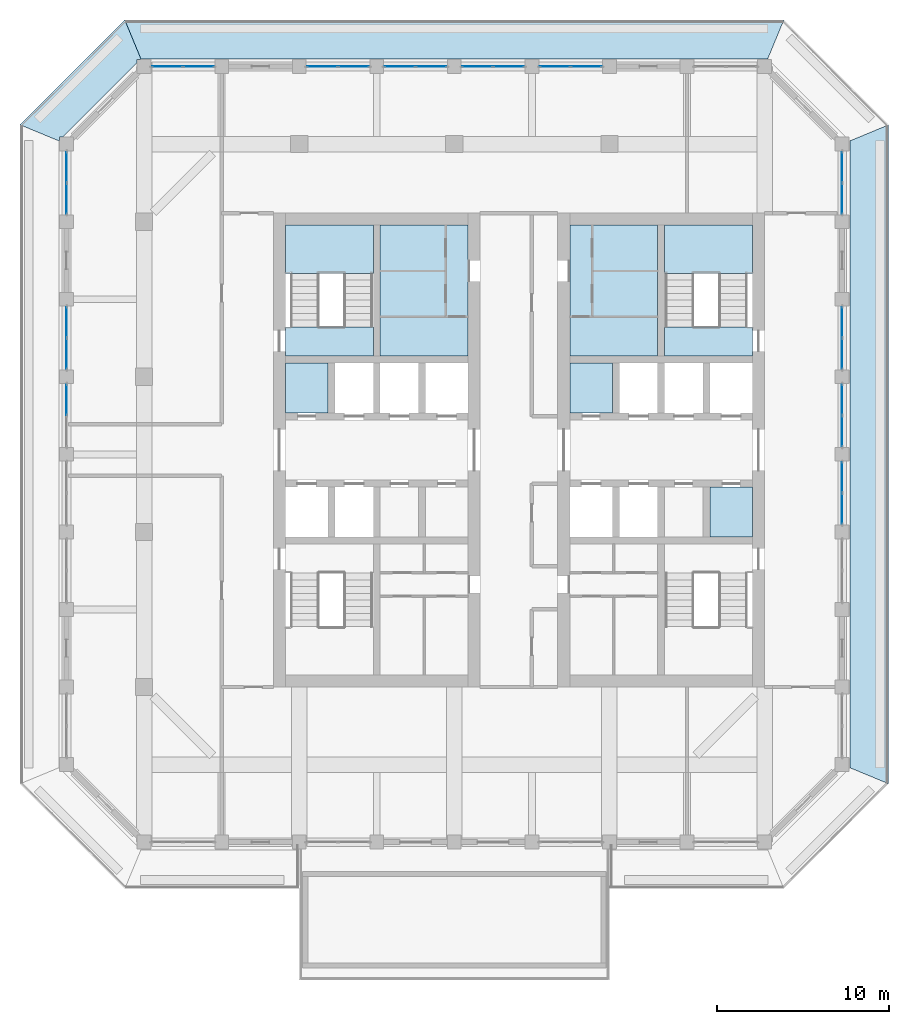
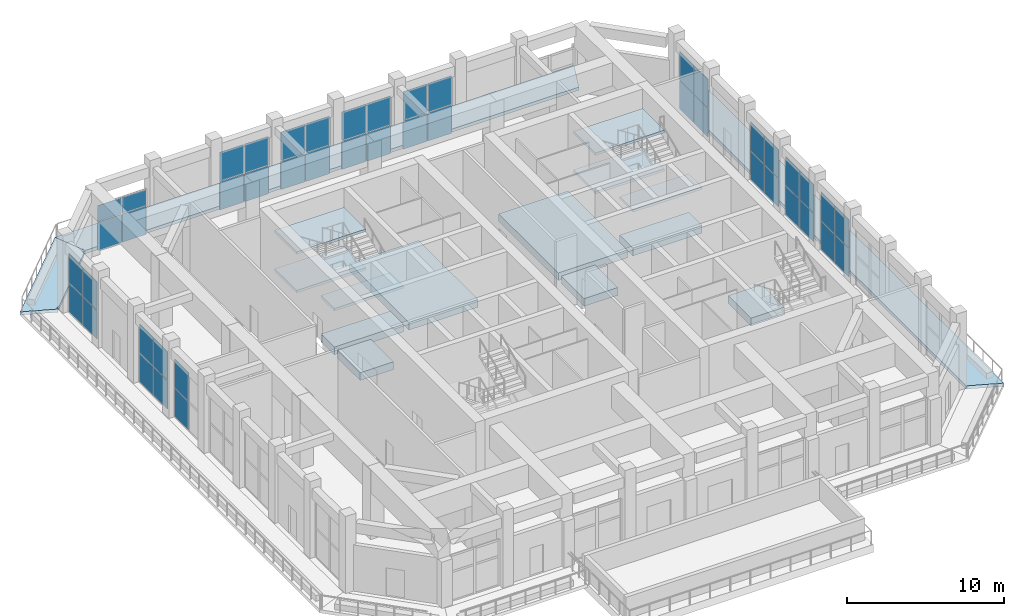
# One storey, part 8 of 20: 46 plates, 16 slabs, 14 elements without a shape of their own.
"""IFC4 building model written with IfcOpenShell, lengths in metres."""

from ifc_helpers import new_model, si_unit, direction, frame, origin, origin_2d, place, context, subcontext, project, spatial, polyline, rectangle, outline, extrude, material, layer, layer_set, type_object, element, aggregate, save


model = new_model("IFC4")

# Units and contexts
model_context = context("Model", 3, precision=1e-05, world=origin(), true_north=direction((0.0, 1.0)))
body_context = subcontext(model_context, "Body", "Model", "MODEL_VIEW")
ifc_project = project(units=[si_unit("LENGTHUNIT", "METRE"), si_unit("AREAUNIT", "SQUARE_METRE"), si_unit("VOLUMEUNIT", "CUBIC_METRE"), si_unit("PLANEANGLEUNIT", "RADIAN"), si_unit("MASSUNIT", "GRAM", prefix="KILO")], contexts=[model_context])

# Site, building, storey
site_placement = place(None, origin())
site = spatial("IfcSite", under=ifc_project, at=site_placement, CompositionType="ELEMENT")
building_placement = place(site_placement, origin())
building = spatial("IfcBuilding", under=site, at=building_placement, Name="Corbel Stack Research Tower", CompositionType="ELEMENT")
storey_placement = place(building_placement, frame((0.0, 0.0, 295.0)))
storey = spatial("IfcBuildingStorey", under=building, at=storey_placement, Name="L67", CompositionType="ELEMENT", Elevation=295.0)

# Curtain wall, plates
ifc_material_1 = material(Name="Aluminium frame, clear glass", Category="aluminium")
curtain_wall_type = type_object("IfcCurtainWallType", Name="Upper amenity floor curtain wall CW3", PredefinedType="NOTDEFINED", material=ifc_material_1)
curtain_wall_1_placement = place(storey_placement, origin())
curtain_wall_1 = element("IfcCurtainWall", 1, at=curtain_wall_1_placement, inside=storey, type_object=curtain_wall_type, Name="Curtain wall CW3 L67 E04", PredefinedType="NOTDEFINED")
ifc_material_2 = material(Name="Low-emissivity glass", Category="glass")
ifc_layer_1 = layer(ifc_material_2, 0.035888671875)
ifc_layer_set_1 = layer_set([ifc_layer_1], Name="Low-emissivity glass")
plate_type = type_object("IfcPlateType", Name="Low-emissivity glazing 36", PredefinedType="CURTAIN_PANEL", material=ifc_layer_set_1)
plate_1_placement = place(storey_placement, frame((22.5, 1.340087890625, 0.06005859375), z_axis=(0.0, 0.0, 1.0), x_axis=(0.0, 1.0, 0.0)))
plate_1 = element("IfcPlate", 2, at=plate_1_placement, type_object=plate_type, Name="CW3 panel 1.1", PredefinedType="CURTAIN_PANEL", context=body_context, shape_type="SweptSolid", body=[
    extrude(rectangle(XDim=1.760009765625, YDim=0.035888671875, at=origin_2d()), origin(), (0.0, 0.0, 1.0), 2.2099609375),
])
plate_2_placement = place(storey_placement, frame((22.5, 1.340087890625, 2.330078125), z_axis=(0.0, 0.0, 1.0), x_axis=(0.0, 1.0, 0.0)))
plate_2 = element("IfcPlate", 3, at=plate_2_placement, type_object=plate_type, Name="CW3 panel 1.2", PredefinedType="CURTAIN_PANEL", context=body_context, shape_type="SweptSolid", body=[
    extrude(rectangle(XDim=1.760009765625, YDim=0.035888671875, at=origin_2d()), origin(), (0.0, 0.0, 1.0), 2.2099609375),
])
plate_3_placement = place(storey_placement, frame((22.5, 3.159912109375, 0.06005859375), z_axis=(0.0, 0.0, 1.0), x_axis=(0.0, 1.0, 0.0)))
plate_3 = element("IfcPlate", 4, at=plate_3_placement, type_object=plate_type, Name="CW3 panel 2.1", PredefinedType="CURTAIN_PANEL", context=body_context, shape_type="SweptSolid", body=[
    extrude(rectangle(XDim=1.760009765625, YDim=0.035888671875, at=origin_2d()), origin(), (0.0, 0.0, 1.0), 2.2099609375),
])
plate_4_placement = place(storey_placement, frame((22.5, 3.159912109375, 2.330078125), z_axis=(0.0, 0.0, 1.0), x_axis=(0.0, 1.0, 0.0)))
plate_4 = element("IfcPlate", 5, at=plate_4_placement, type_object=plate_type, Name="CW3 panel 2.2", PredefinedType="CURTAIN_PANEL", context=body_context, shape_type="SweptSolid", body=[
    extrude(rectangle(XDim=1.760009765625, YDim=0.035888671875, at=origin_2d()), origin(), (0.0, 0.0, 1.0), 2.2099609375),
])
aggregate(curtain_wall_1, [plate_1, plate_2, plate_3, plate_4])

curtain_wall_2_placement = place(storey_placement, origin())
curtain_wall_2 = element("IfcCurtainWall", 6, at=curtain_wall_2_placement, inside=storey, type_object=curtain_wall_type, Name="Curtain wall CW3 L67 E05", PredefinedType="NOTDEFINED")
plate_5_placement = place(storey_placement, frame((22.5, 5.840087890625, 0.06005859375), z_axis=(0.0, 0.0, 1.0), x_axis=(0.0, 1.0, 0.0)))
plate_5 = element("IfcPlate", 7, at=plate_5_placement, type_object=plate_type, Name="CW3 panel 1.1", PredefinedType="CURTAIN_PANEL", context=body_context, shape_type="SweptSolid", body=[
    extrude(rectangle(XDim=1.760009765625, YDim=0.035888671875, at=origin_2d()), origin(), (0.0, 0.0, 1.0), 2.2099609375),
])
plate_6_placement = place(storey_placement, frame((22.5, 5.840087890625, 2.330078125), z_axis=(0.0, 0.0, 1.0), x_axis=(0.0, 1.0, 0.0)))
plate_6 = element("IfcPlate", 8, at=plate_6_placement, type_object=plate_type, Name="CW3 panel 1.2", PredefinedType="CURTAIN_PANEL", context=body_context, shape_type="SweptSolid", body=[
    extrude(rectangle(XDim=1.760009765625, YDim=0.035888671875, at=origin_2d()), origin(), (0.0, 0.0, 1.0), 2.2099609375),
])
plate_7_placement = place(storey_placement, frame((22.5, 7.659912109375, 0.06005859375), z_axis=(0.0, 0.0, 1.0), x_axis=(0.0, 1.0, 0.0)))
plate_7 = element("IfcPlate", 9, at=plate_7_placement, type_object=plate_type, Name="CW3 panel 2.1", PredefinedType="CURTAIN_PANEL", context=body_context, shape_type="SweptSolid", body=[
    extrude(rectangle(XDim=1.760009765625, YDim=0.035888671875, at=origin_2d()), origin(), (0.0, 0.0, 1.0), 2.2099609375),
])
plate_8_placement = place(storey_placement, frame((22.5, 7.659912109375, 2.330078125), z_axis=(0.0, 0.0, 1.0), x_axis=(0.0, 1.0, 0.0)))
plate_8 = element("IfcPlate", 10, at=plate_8_placement, type_object=plate_type, Name="CW3 panel 2.2", PredefinedType="CURTAIN_PANEL", context=body_context, shape_type="SweptSolid", body=[
    extrude(rectangle(XDim=1.760009765625, YDim=0.035888671875, at=origin_2d()), origin(), (0.0, 0.0, 1.0), 2.2099609375),
])
aggregate(curtain_wall_2, [plate_5, plate_6, plate_7, plate_8])

curtain_wall_3_placement = place(storey_placement, origin())
curtain_wall_3 = element("IfcCurtainWall", 11, at=curtain_wall_3_placement, inside=storey, type_object=curtain_wall_type, Name="Curtain wall CW3 L67 E06", PredefinedType="NOTDEFINED")
plate_9_placement = place(storey_placement, frame((22.5, 10.340087890625, 0.06005859375), z_axis=(0.0, 0.0, 1.0), x_axis=(0.0, 1.0, 0.0)))
plate_9 = element("IfcPlate", 12, at=plate_9_placement, type_object=plate_type, Name="CW3 panel 1.1", PredefinedType="CURTAIN_PANEL", context=body_context, shape_type="SweptSolid", body=[
    extrude(rectangle(XDim=1.760009765625, YDim=0.035888671875, at=origin_2d()), origin(), (0.0, 0.0, 1.0), 2.2099609375),
])
plate_10_placement = place(storey_placement, frame((22.5, 10.340087890625, 2.330078125), z_axis=(0.0, 0.0, 1.0), x_axis=(0.0, 1.0, 0.0)))
plate_10 = element("IfcPlate", 13, at=plate_10_placement, type_object=plate_type, Name="CW3 panel 1.2", PredefinedType="CURTAIN_PANEL", context=body_context, shape_type="SweptSolid", body=[
    extrude(rectangle(XDim=1.760009765625, YDim=0.035888671875, at=origin_2d()), origin(), (0.0, 0.0, 1.0), 2.2099609375),
])
plate_11_placement = place(storey_placement, frame((22.5, 12.159912109375, 0.06005859375), z_axis=(0.0, 0.0, 1.0), x_axis=(0.0, 1.0, 0.0)))
plate_11 = element("IfcPlate", 14, at=plate_11_placement, type_object=plate_type, Name="CW3 panel 2.1", PredefinedType="CURTAIN_PANEL", context=body_context, shape_type="SweptSolid", body=[
    extrude(rectangle(XDim=1.760009765625, YDim=0.035888671875, at=origin_2d()), origin(), (0.0, 0.0, 1.0), 2.2099609375),
])
plate_12_placement = place(storey_placement, frame((22.5, 12.159912109375, 2.330078125), z_axis=(0.0, 0.0, 1.0), x_axis=(0.0, 1.0, 0.0)))
plate_12 = element("IfcPlate", 15, at=plate_12_placement, type_object=plate_type, Name="CW3 panel 2.2", PredefinedType="CURTAIN_PANEL", context=body_context, shape_type="SweptSolid", body=[
    extrude(rectangle(XDim=1.760009765625, YDim=0.035888671875, at=origin_2d()), origin(), (0.0, 0.0, 1.0), 2.2099609375),
])
aggregate(curtain_wall_3, [plate_9, plate_10, plate_11, plate_12])

curtain_wall_4_placement = place(storey_placement, origin())
curtain_wall_4 = element("IfcCurtainWall", 16, at=curtain_wall_4_placement, inside=storey, type_object=curtain_wall_type, Name="Curtain wall CW3 L67 E08", PredefinedType="NOTDEFINED")
plate_13_placement = place(storey_placement, frame((22.5, 19.340087890625, 0.06005859375), z_axis=(0.0, 0.0, 1.0), x_axis=(0.0, 1.0, 0.0)))
plate_13 = element("IfcPlate", 17, at=plate_13_placement, type_object=plate_type, Name="CW3 panel 1.1", PredefinedType="CURTAIN_PANEL", context=body_context, shape_type="SweptSolid", body=[
    extrude(rectangle(XDim=1.760009765625, YDim=0.035888671875, at=origin_2d()), origin(), (0.0, 0.0, 1.0), 2.2099609375),
])
plate_14_placement = place(storey_placement, frame((22.5, 19.340087890625, 2.330078125), z_axis=(0.0, 0.0, 1.0), x_axis=(0.0, 1.0, 0.0)))
plate_14 = element("IfcPlate", 18, at=plate_14_placement, type_object=plate_type, Name="CW3 panel 1.2", PredefinedType="CURTAIN_PANEL", context=body_context, shape_type="SweptSolid", body=[
    extrude(rectangle(XDim=1.760009765625, YDim=0.035888671875, at=origin_2d()), origin(), (0.0, 0.0, 1.0), 2.2099609375),
])
plate_15_placement = place(storey_placement, frame((22.5, 21.159912109375, 0.06005859375), z_axis=(0.0, 0.0, 1.0), x_axis=(0.0, 1.0, 0.0)))
plate_15 = element("IfcPlate", 19, at=plate_15_placement, type_object=plate_type, Name="CW3 panel 2.1", PredefinedType="CURTAIN_PANEL", context=body_context, shape_type="SweptSolid", body=[
    extrude(rectangle(XDim=1.760009765625, YDim=0.035888671875, at=origin_2d()), origin(), (0.0, 0.0, 1.0), 2.2099609375),
])
plate_16_placement = place(storey_placement, frame((22.5, 21.159912109375, 2.330078125), z_axis=(0.0, 0.0, 1.0), x_axis=(0.0, 1.0, 0.0)))
plate_16 = element("IfcPlate", 20, at=plate_16_placement, type_object=plate_type, Name="CW3 panel 2.2", PredefinedType="CURTAIN_PANEL", context=body_context, shape_type="SweptSolid", body=[
    extrude(rectangle(XDim=1.760009765625, YDim=0.035888671875, at=origin_2d()), origin(), (0.0, 0.0, 1.0), 2.2099609375),
])
aggregate(curtain_wall_4, [plate_13, plate_14, plate_15, plate_16])

curtain_wall_5_placement = place(storey_placement, origin())
curtain_wall_5 = element("IfcCurtainWall", 21, at=curtain_wall_5_placement, inside=storey, type_object=curtain_wall_type, Name="Curtain wall CW3 L67 N03", PredefinedType="NOTDEFINED")
plate_17_placement = place(storey_placement, frame((7.659912109375, 27.0, 0.06005859375), z_axis=(0.0, 0.0, 1.0), x_axis=(-1.0, 0.0, 0.0)))
plate_17 = element("IfcPlate", 22, at=plate_17_placement, type_object=plate_type, Name="CW3 panel 1.1", PredefinedType="CURTAIN_PANEL", context=body_context, shape_type="SweptSolid", body=[
    extrude(rectangle(XDim=1.760009765625, YDim=0.035888671875, at=origin_2d()), origin(), (0.0, 0.0, 1.0), 2.2099609375),
])
plate_18_placement = place(storey_placement, frame((7.659912109375, 27.0, 2.330078125), z_axis=(0.0, 0.0, 1.0), x_axis=(-1.0, 0.0, 0.0)))
plate_18 = element("IfcPlate", 23, at=plate_18_placement, type_object=plate_type, Name="CW3 panel 1.2", PredefinedType="CURTAIN_PANEL", context=body_context, shape_type="SweptSolid", body=[
    extrude(rectangle(XDim=1.760009765625, YDim=0.035888671875, at=origin_2d()), origin(), (0.0, 0.0, 1.0), 2.2099609375),
])
plate_19_placement = place(storey_placement, frame((5.840087890625, 27.0, 0.06005859375), z_axis=(0.0, 0.0, 1.0), x_axis=(-1.0, 0.0, 0.0)))
plate_19 = element("IfcPlate", 24, at=plate_19_placement, type_object=plate_type, Name="CW3 panel 2.1", PredefinedType="CURTAIN_PANEL", context=body_context, shape_type="SweptSolid", body=[
    extrude(rectangle(XDim=1.760009765625, YDim=0.035888671875, at=origin_2d()), origin(), (0.0, 0.0, 1.0), 2.2099609375),
])
plate_20_placement = place(storey_placement, frame((5.840087890625, 27.0, 2.330078125), z_axis=(0.0, 0.0, 1.0), x_axis=(-1.0, 0.0, 0.0)))
plate_20 = element("IfcPlate", 25, at=plate_20_placement, type_object=plate_type, Name="CW3 panel 2.2", PredefinedType="CURTAIN_PANEL", context=body_context, shape_type="SweptSolid", body=[
    extrude(rectangle(XDim=1.760009765625, YDim=0.035888671875, at=origin_2d()), origin(), (0.0, 0.0, 1.0), 2.2099609375),
])
aggregate(curtain_wall_5, [plate_17, plate_18, plate_19, plate_20])

curtain_wall_6_placement = place(storey_placement, origin())
curtain_wall_6 = element("IfcCurtainWall", 26, at=curtain_wall_6_placement, inside=storey, type_object=curtain_wall_type, Name="Curtain wall CW3 L67 N04", PredefinedType="NOTDEFINED")
plate_21_placement = place(storey_placement, frame((3.159912109375, 27.0, 0.06005859375), z_axis=(0.0, 0.0, 1.0), x_axis=(-1.0, 0.0, 0.0)))
plate_21 = element("IfcPlate", 27, at=plate_21_placement, type_object=plate_type, Name="CW3 panel 1.1", PredefinedType="CURTAIN_PANEL", context=body_context, shape_type="SweptSolid", body=[
    extrude(rectangle(XDim=1.760009765625, YDim=0.035888671875, at=origin_2d()), origin(), (0.0, 0.0, 1.0), 2.2099609375),
])
plate_22_placement = place(storey_placement, frame((3.159912109375, 27.0, 2.330078125), z_axis=(0.0, 0.0, 1.0), x_axis=(-1.0, 0.0, 0.0)))
plate_22 = element("IfcPlate", 28, at=plate_22_placement, type_object=plate_type, Name="CW3 panel 1.2", PredefinedType="CURTAIN_PANEL", context=body_context, shape_type="SweptSolid", body=[
    extrude(rectangle(XDim=1.760009765625, YDim=0.035888671875, at=origin_2d()), origin(), (0.0, 0.0, 1.0), 2.2099609375),
])
plate_23_placement = place(storey_placement, frame((1.340087890625, 27.0, 0.06005859375), z_axis=(0.0, 0.0, 1.0), x_axis=(-1.0, 0.0, 0.0)))
plate_23 = element("IfcPlate", 29, at=plate_23_placement, type_object=plate_type, Name="CW3 panel 2.1", PredefinedType="CURTAIN_PANEL", context=body_context, shape_type="SweptSolid", body=[
    extrude(rectangle(XDim=1.760009765625, YDim=0.035888671875, at=origin_2d()), origin(), (0.0, 0.0, 1.0), 2.2099609375),
])
plate_24_placement = place(storey_placement, frame((1.340087890625, 27.0, 2.330078125), z_axis=(0.0, 0.0, 1.0), x_axis=(-1.0, 0.0, 0.0)))
plate_24 = element("IfcPlate", 30, at=plate_24_placement, type_object=plate_type, Name="CW3 panel 2.2", PredefinedType="CURTAIN_PANEL", context=body_context, shape_type="SweptSolid", body=[
    extrude(rectangle(XDim=1.760009765625, YDim=0.035888671875, at=origin_2d()), origin(), (0.0, 0.0, 1.0), 2.2099609375),
])
aggregate(curtain_wall_6, [plate_21, plate_22, plate_23, plate_24])

curtain_wall_7_placement = place(storey_placement, origin())
curtain_wall_7 = element("IfcCurtainWall", 31, at=curtain_wall_7_placement, inside=storey, type_object=curtain_wall_type, Name="Curtain wall CW3 L67 N05", PredefinedType="NOTDEFINED")
plate_25_placement = place(storey_placement, frame((-1.340087890625, 27.0, 0.06005859375), z_axis=(0.0, 0.0, 1.0), x_axis=(-1.0, 0.0, 0.0)))
plate_25 = element("IfcPlate", 32, at=plate_25_placement, type_object=plate_type, Name="CW3 panel 1.1", PredefinedType="CURTAIN_PANEL", context=body_context, shape_type="SweptSolid", body=[
    extrude(rectangle(XDim=1.760009765625, YDim=0.035888671875, at=origin_2d()), origin(), (0.0, 0.0, 1.0), 2.2099609375),
])
plate_26_placement = place(storey_placement, frame((-1.340087890625, 27.0, 2.330078125), z_axis=(0.0, 0.0, 1.0), x_axis=(-1.0, 0.0, 0.0)))
plate_26 = element("IfcPlate", 33, at=plate_26_placement, type_object=plate_type, Name="CW3 panel 1.2", PredefinedType="CURTAIN_PANEL", context=body_context, shape_type="SweptSolid", body=[
    extrude(rectangle(XDim=1.760009765625, YDim=0.035888671875, at=origin_2d()), origin(), (0.0, 0.0, 1.0), 2.2099609375),
])
plate_27_placement = place(storey_placement, frame((-3.159912109375, 27.0, 0.06005859375), z_axis=(0.0, 0.0, 1.0), x_axis=(-1.0, 0.0, 0.0)))
plate_27 = element("IfcPlate", 34, at=plate_27_placement, type_object=plate_type, Name="CW3 panel 2.1", PredefinedType="CURTAIN_PANEL", context=body_context, shape_type="SweptSolid", body=[
    extrude(rectangle(XDim=1.760009765625, YDim=0.035888671875, at=origin_2d()), origin(), (0.0, 0.0, 1.0), 2.2099609375),
])
plate_28_placement = place(storey_placement, frame((-3.159912109375, 27.0, 2.330078125), z_axis=(0.0, 0.0, 1.0), x_axis=(-1.0, 0.0, 0.0)))
plate_28 = element("IfcPlate", 35, at=plate_28_placement, type_object=plate_type, Name="CW3 panel 2.2", PredefinedType="CURTAIN_PANEL", context=body_context, shape_type="SweptSolid", body=[
    extrude(rectangle(XDim=1.760009765625, YDim=0.035888671875, at=origin_2d()), origin(), (0.0, 0.0, 1.0), 2.2099609375),
])
aggregate(curtain_wall_7, [plate_25, plate_26, plate_27, plate_28])

curtain_wall_8_placement = place(storey_placement, origin())
curtain_wall_8 = element("IfcCurtainWall", 36, at=curtain_wall_8_placement, inside=storey, type_object=curtain_wall_type, Name="Curtain wall CW3 L67 N06", PredefinedType="NOTDEFINED")
plate_29_placement = place(storey_placement, frame((-5.840087890625, 27.0, 0.06005859375), z_axis=(0.0, 0.0, 1.0), x_axis=(-1.0, 0.0, 0.0)))
plate_29 = element("IfcPlate", 37, at=plate_29_placement, type_object=plate_type, Name="CW3 panel 1.1", PredefinedType="CURTAIN_PANEL", context=body_context, shape_type="SweptSolid", body=[
    extrude(rectangle(XDim=1.760009765625, YDim=0.035888671875, at=origin_2d()), origin(), (0.0, 0.0, 1.0), 2.2099609375),
])
plate_30_placement = place(storey_placement, frame((-5.840087890625, 27.0, 2.330078125), z_axis=(0.0, 0.0, 1.0), x_axis=(-1.0, 0.0, 0.0)))
plate_30 = element("IfcPlate", 38, at=plate_30_placement, type_object=plate_type, Name="CW3 panel 1.2", PredefinedType="CURTAIN_PANEL", context=body_context, shape_type="SweptSolid", body=[
    extrude(rectangle(XDim=1.760009765625, YDim=0.035888671875, at=origin_2d()), origin(), (0.0, 0.0, 1.0), 2.2099609375),
])
plate_31_placement = place(storey_placement, frame((-7.659912109375, 27.0, 0.06005859375), z_axis=(0.0, 0.0, 1.0), x_axis=(-1.0, 0.0, 0.0)))
plate_31 = element("IfcPlate", 39, at=plate_31_placement, type_object=plate_type, Name="CW3 panel 2.1", PredefinedType="CURTAIN_PANEL", context=body_context, shape_type="SweptSolid", body=[
    extrude(rectangle(XDim=1.760009765625, YDim=0.035888671875, at=origin_2d()), origin(), (0.0, 0.0, 1.0), 2.2099609375),
])
plate_32_placement = place(storey_placement, frame((-7.659912109375, 27.0, 2.330078125), z_axis=(0.0, 0.0, 1.0), x_axis=(-1.0, 0.0, 0.0)))
plate_32 = element("IfcPlate", 40, at=plate_32_placement, type_object=plate_type, Name="CW3 panel 2.2", PredefinedType="CURTAIN_PANEL", context=body_context, shape_type="SweptSolid", body=[
    extrude(rectangle(XDim=1.760009765625, YDim=0.035888671875, at=origin_2d()), origin(), (0.0, 0.0, 1.0), 2.2099609375),
])
aggregate(curtain_wall_8, [plate_29, plate_30, plate_31, plate_32])

curtain_wall_9_placement = place(storey_placement, origin())
curtain_wall_9 = element("IfcCurtainWall", 41, at=curtain_wall_9_placement, inside=storey, type_object=curtain_wall_type, Name="Curtain wall CW3 L67 N08", PredefinedType="NOTDEFINED")
plate_33_placement = place(storey_placement, frame((-14.840087890625, 27.0, 0.06005859375), z_axis=(0.0, 0.0, 1.0), x_axis=(-1.0, 0.0, 0.0)))
plate_33 = element("IfcPlate", 42, at=plate_33_placement, type_object=plate_type, Name="CW3 panel 1.1", PredefinedType="CURTAIN_PANEL", context=body_context, shape_type="SweptSolid", body=[
    extrude(rectangle(XDim=1.760009765625, YDim=0.035888671875, at=origin_2d()), origin(), (0.0, 0.0, 1.0), 2.2099609375),
])
plate_34_placement = place(storey_placement, frame((-14.840087890625, 27.0, 2.330078125), z_axis=(0.0, 0.0, 1.0), x_axis=(-1.0, 0.0, 0.0)))
plate_34 = element("IfcPlate", 43, at=plate_34_placement, type_object=plate_type, Name="CW3 panel 1.2", PredefinedType="CURTAIN_PANEL", context=body_context, shape_type="SweptSolid", body=[
    extrude(rectangle(XDim=1.760009765625, YDim=0.035888671875, at=origin_2d()), origin(), (0.0, 0.0, 1.0), 1.2099609375),
])
plate_35_placement = place(storey_placement, frame((-16.659912109375, 27.0, 0.06005859375), z_axis=(0.0, 0.0, 1.0), x_axis=(-1.0, 0.0, 0.0)))
plate_35 = element("IfcPlate", 44, at=plate_35_placement, type_object=plate_type, Name="CW3 panel 2.1", PredefinedType="CURTAIN_PANEL", context=body_context, shape_type="SweptSolid", body=[
    extrude(rectangle(XDim=1.760009765625, YDim=0.035888671875, at=origin_2d()), origin(), (0.0, 0.0, 1.0), 2.2099609375),
])
plate_36_placement = place(storey_placement, frame((-16.659912109375, 27.0, 2.330078125), z_axis=(0.0, 0.0, 1.0), x_axis=(-1.0, 0.0, 0.0)))
plate_36 = element("IfcPlate", 45, at=plate_36_placement, type_object=plate_type, Name="CW3 panel 2.2", PredefinedType="CURTAIN_PANEL", context=body_context, shape_type="SweptSolid", body=[
    extrude(rectangle(XDim=1.760009765625, YDim=0.035888671875, at=origin_2d()), origin(), (0.0, 0.0, 1.0), 1.2099609375),
])
aggregate(curtain_wall_9, [plate_33, plate_34, plate_35, plate_36])

curtain_wall_10_placement = place(storey_placement, origin())
curtain_wall_10 = element("IfcCurtainWall", 46, at=curtain_wall_10_placement, inside=storey, type_object=curtain_wall_type, Name="Curtain wall CW3 L67 W01", PredefinedType="NOTDEFINED")
plate_37_placement = place(storey_placement, frame((-22.5, 21.159912109375, 0.06005859375), z_axis=(0.0, 0.0, 1.0), x_axis=(0.0, -1.0, 0.0)))
plate_37 = element("IfcPlate", 47, at=plate_37_placement, type_object=plate_type, Name="CW3 panel 1.1", PredefinedType="CURTAIN_PANEL", context=body_context, shape_type="SweptSolid", body=[
    extrude(rectangle(XDim=1.760009765625, YDim=0.035888671875, at=origin_2d()), origin(), (0.0, 0.0, 1.0), 2.2099609375),
])
plate_38_placement = place(storey_placement, frame((-22.5, 21.159912109375, 2.330078125), z_axis=(0.0, 0.0, 1.0), x_axis=(0.0, -1.0, 0.0)))
plate_38 = element("IfcPlate", 48, at=plate_38_placement, type_object=plate_type, Name="CW3 panel 1.2", PredefinedType="CURTAIN_PANEL", context=body_context, shape_type="SweptSolid", body=[
    extrude(rectangle(XDim=1.760009765625, YDim=0.035888671875, at=origin_2d()), origin(), (0.0, 0.0, 1.0), 2.2099609375),
])
plate_39_placement = place(storey_placement, frame((-22.5, 19.340087890625, 0.06005859375), z_axis=(0.0, 0.0, 1.0), x_axis=(0.0, -1.0, 0.0)))
plate_39 = element("IfcPlate", 49, at=plate_39_placement, type_object=plate_type, Name="CW3 panel 2.1", PredefinedType="CURTAIN_PANEL", context=body_context, shape_type="SweptSolid", body=[
    extrude(rectangle(XDim=1.760009765625, YDim=0.035888671875, at=origin_2d()), origin(), (0.0, 0.0, 1.0), 2.2099609375),
])
plate_40_placement = place(storey_placement, frame((-22.5, 19.340087890625, 2.330078125), z_axis=(0.0, 0.0, 1.0), x_axis=(0.0, -1.0, 0.0)))
plate_40 = element("IfcPlate", 50, at=plate_40_placement, type_object=plate_type, Name="CW3 panel 2.2", PredefinedType="CURTAIN_PANEL", context=body_context, shape_type="SweptSolid", body=[
    extrude(rectangle(XDim=1.760009765625, YDim=0.035888671875, at=origin_2d()), origin(), (0.0, 0.0, 1.0), 2.2099609375),
])
aggregate(curtain_wall_10, [plate_37, plate_38, plate_39, plate_40])

curtain_wall_11_placement = place(storey_placement, origin())
curtain_wall_11 = element("IfcCurtainWall", 51, at=curtain_wall_11_placement, inside=storey, type_object=curtain_wall_type, Name="Curtain wall CW3 L67 W03", PredefinedType="NOTDEFINED")
plate_41_placement = place(storey_placement, frame((-22.5, 12.159912109375, 0.06005859375), z_axis=(0.0, 0.0, 1.0), x_axis=(0.0, -1.0, 0.0)))
plate_41 = element("IfcPlate", 52, at=plate_41_placement, type_object=plate_type, Name="CW3 panel 1.1", PredefinedType="CURTAIN_PANEL", context=body_context, shape_type="SweptSolid", body=[
    extrude(rectangle(XDim=1.760009765625, YDim=0.035888671875, at=origin_2d()), origin(), (0.0, 0.0, 1.0), 2.2099609375),
])
plate_42_placement = place(storey_placement, frame((-22.5, 12.159912109375, 2.330078125), z_axis=(0.0, 0.0, 1.0), x_axis=(0.0, -1.0, 0.0)))
plate_42 = element("IfcPlate", 53, at=plate_42_placement, type_object=plate_type, Name="CW3 panel 1.2", PredefinedType="CURTAIN_PANEL", context=body_context, shape_type="SweptSolid", body=[
    extrude(rectangle(XDim=1.760009765625, YDim=0.035888671875, at=origin_2d()), origin(), (0.0, 0.0, 1.0), 2.2099609375),
])
plate_43_placement = place(storey_placement, frame((-22.5, 10.340087890625, 0.06005859375), z_axis=(0.0, 0.0, 1.0), x_axis=(0.0, -1.0, 0.0)))
plate_43 = element("IfcPlate", 54, at=plate_43_placement, type_object=plate_type, Name="CW3 panel 2.1", PredefinedType="CURTAIN_PANEL", context=body_context, shape_type="SweptSolid", body=[
    extrude(rectangle(XDim=1.760009765625, YDim=0.035888671875, at=origin_2d()), origin(), (0.0, 0.0, 1.0), 2.2099609375),
])
plate_44_placement = place(storey_placement, frame((-22.5, 10.340087890625, 2.330078125), z_axis=(0.0, 0.0, 1.0), x_axis=(0.0, -1.0, 0.0)))
plate_44 = element("IfcPlate", 55, at=plate_44_placement, type_object=plate_type, Name="CW3 panel 2.2", PredefinedType="CURTAIN_PANEL", context=body_context, shape_type="SweptSolid", body=[
    extrude(rectangle(XDim=1.760009765625, YDim=0.035888671875, at=origin_2d()), origin(), (0.0, 0.0, 1.0), 2.2099609375),
])
aggregate(curtain_wall_11, [plate_41, plate_42, plate_43, plate_44])

curtain_wall_12_placement = place(storey_placement, origin())
curtain_wall_12 = element("IfcCurtainWall", 56, at=curtain_wall_12_placement, inside=storey, type_object=curtain_wall_type, Name="Curtain wall CW3 L67 W04", PredefinedType="NOTDEFINED")
plate_45_placement = place(storey_placement, frame((-22.5, 7.659912109375, 0.06005859375), z_axis=(0.0, 0.0, 1.0), x_axis=(0.0, -1.0, 0.0)))
plate_45 = element("IfcPlate", 57, at=plate_45_placement, type_object=plate_type, Name="CW3 panel 1.1", PredefinedType="CURTAIN_PANEL", context=body_context, shape_type="SweptSolid", body=[
    extrude(rectangle(XDim=1.760009765625, YDim=0.035888671875, at=origin_2d()), origin(), (0.0, 0.0, 1.0), 2.2099609375),
])
plate_46_placement = place(storey_placement, frame((-22.5, 7.659912109375, 2.330078125), z_axis=(0.0, 0.0, 1.0), x_axis=(0.0, -1.0, 0.0)))
plate_46 = element("IfcPlate", 58, at=plate_46_placement, type_object=plate_type, Name="CW3 panel 1.2", PredefinedType="CURTAIN_PANEL", context=body_context, shape_type="SweptSolid", body=[
    extrude(rectangle(XDim=1.760009765625, YDim=0.035888671875, at=origin_2d()), origin(), (0.0, 0.0, 1.0), 2.2099609375),
])
aggregate(curtain_wall_12, [plate_45, plate_46])

# Slabs
ifc_material_3 = material(Name="Concrete C45/55", Category="concrete")
ifc_layer_2 = layer(ifc_material_3, 0.25)
ifc_layer_set_2 = layer_set([ifc_layer_2], Name="Concrete C45/55")
slab_type_1 = type_object("IfcSlabType", Name="PT balcony slab 250 C45/55", PredefinedType="FLOOR", material=ifc_layer_set_2)
slab_1_placement = place(storey_placement, frame((0.0, 0.0, -0.25)))
element("IfcSlab", 59, at=slab_1_placement, inside=storey, type_object=slab_type_1, Name="Loggia slab L67 E", PredefinedType="FLOOR", context=body_context, shape_type="SweptSolid", body=[
    extrude(outline(polyline([(22.949951171875, 22.686279296875), (22.949951171875, -13.686279296875), (25.199951171875, -14.618408203125), (25.199951171875, 23.618408203125), (22.949951171875, 22.686279296875)])), origin(), (0.0, 0.0, 1.0), 0.25),
])
slab_2_placement = place(storey_placement, frame((0.0, 0.0, -0.25)))
element("IfcSlab", 60, at=slab_2_placement, inside=storey, type_object=slab_type_1, Name="Loggia slab L67 N", PredefinedType="FLOOR", context=body_context, shape_type="SweptSolid", body=[
    extrude(outline(polyline([(-18.186279296875, 27.449951171875), (18.186279296875, 27.449951171875), (19.118408203125, 29.699951171875), (-19.118408203125, 29.699951171875), (-18.186279296875, 27.449951171875)])), origin(), (0.0, 0.0, 1.0), 0.25),
])
slab_3_placement = place(storey_placement, frame((0.0, 0.0, -0.25)))
element("IfcSlab", 61, at=slab_3_placement, inside=storey, type_object=slab_type_1, Name="Loggia slab L67 NW", PredefinedType="FLOOR", context=body_context, shape_type="SweptSolid", body=[
    extrude(outline(polyline([(-22.949951171875, 22.686279296875), (-22.89990234375, 22.736328125), (-22.89990234375, 22.89990234375), (-22.736328125, 22.89990234375), (-18.39990234375, 27.236328125), (-18.39990234375, 27.39990234375), (-18.236328125, 27.39990234375), (-18.186279296875, 27.449951171875), (-19.118408203125, 29.699951171875), (-25.199951171875, 23.618408203125), (-22.949951171875, 22.686279296875)])), origin(), (0.0, 0.0, 1.0), 0.25),
])
ifc_material_4 = material(Name="Concrete C45/55", Category="concrete")
ifc_layer_3 = layer(ifc_material_4, 0.60009765625)
ifc_layer_set_3 = layer_set([ifc_layer_3], Name="Concrete C45/55")
slab_type_2 = type_object("IfcSlabType", Name="PT-600", PredefinedType="FLOOR", material=ifc_layer_set_3)
slab_4_placement = place(storey_placement, frame((0.0, 0.0, -0.60009765625)))
element("IfcSlab", 62, at=slab_4_placement, inside=storey, type_object=slab_type_2, Name="West core floor L67", PredefinedType="FLOOR", context=body_context, shape_type="SweptSolid", body=[
    extrude(outline(polyline([(-9.800048828125, 6.89990234375), (-7.324951171875, 6.89990234375), (-7.324951171875, 9.800048828125), (-9.800048828125, 9.800048828125), (-9.800048828125, 6.89990234375)])), origin(), (0.0, 0.0, 1.0), 0.60009765625),
])
slab_5_placement = place(storey_placement, frame((0.0, 0.0, -0.60009765625)))
element("IfcSlab", 63, at=slab_5_placement, inside=storey, type_object=slab_type_2, Name="West core floor L67", PredefinedType="FLOOR", context=body_context, shape_type="SweptSolid", body=[
    extrude(outline(polyline([(-4.300048828125, 17.800048828125), (-4.300048828125, 10.199951171875), (0.800048828125, 10.199951171875), (0.800048828125, 17.800048828125), (-4.300048828125, 17.800048828125)])), origin(), (0.0, 0.0, 1.0), 0.60009765625),
])
slab_6_placement = place(storey_placement, frame((0.0, 0.0, -0.60009765625)))
element("IfcSlab", 64, at=slab_6_placement, inside=storey, type_object=slab_type_2, Name="East core floor L67", PredefinedType="FLOOR", context=body_context, shape_type="SweptSolid", body=[
    extrude(outline(polyline([(6.699951171875, 6.89990234375), (9.175048828125, 6.89990234375), (9.175048828125, 9.800048828125), (6.699951171875, 9.800048828125), (6.699951171875, 6.89990234375)])), origin(), (0.0, 0.0, 1.0), 0.60009765625),
])
slab_7_placement = place(storey_placement, frame((0.0, 0.0, -0.60009765625)))
element("IfcSlab", 65, at=slab_7_placement, inside=storey, type_object=slab_type_2, Name="East core floor L67", PredefinedType="FLOOR", context=body_context, shape_type="SweptSolid", body=[
    extrude(outline(polyline([(6.699951171875, 10.199951171875), (11.800048828125, 10.199951171875), (11.800048828125, 17.800048828125), (6.699951171875, 17.800048828125), (6.699951171875, 10.199951171875)])), origin(), (0.0, 0.0, 1.0), 0.60009765625),
])
slab_8_placement = place(storey_placement, frame((0.0, 0.0, -0.60009765625)))
element("IfcSlab", 66, at=slab_8_placement, inside=storey, type_object=slab_type_2, Name="East core floor L67", PredefinedType="FLOOR", context=body_context, shape_type="SweptSolid", body=[
    extrude(outline(polyline([(14.824951171875, 2.60009765625), (14.824951171875, -0.300048828125), (17.300048828125, -0.300048828125), (17.300048828125, 2.60009765625), (14.824951171875, 2.60009765625)])), origin(), (0.0, 0.0, 1.0), 0.60009765625),
])
slab_9_placement = place(storey_placement, frame((0.0, 0.0, -0.60009765625)))
element("IfcSlab", 67, at=slab_9_placement, inside=storey, type_object=slab_type_2, Name="Stair floor landing ST-W2", PredefinedType="FLOOR", context=body_context, shape_type="SweptSolid", body=[
    extrude(outline(polyline([(-9.800048828125, 10.199951171875), (-4.699951171875, 10.199951171875), (-4.699951171875, 11.89990234375), (-9.800048828125, 11.89990234375), (-9.800048828125, 10.199951171875)])), origin(), (0.0, 0.0, 1.0), 0.60009765625),
])
slab_10_placement = place(storey_placement, frame((0.0, 0.0, -0.60009765625)))
element("IfcSlab", 68, at=slab_10_placement, inside=storey, type_object=slab_type_2, Name="Stair floor landing ST-E2", PredefinedType="FLOOR", context=body_context, shape_type="SweptSolid", body=[
    extrude(outline(polyline([(12.199951171875, 10.199951171875), (17.300048828125, 10.199951171875), (17.300048828125, 11.89990234375), (12.199951171875, 11.89990234375), (12.199951171875, 10.199951171875)])), origin(), (0.0, 0.0, 1.0), 0.60009765625),
])

# Stair, slabs
ifc_material_5 = material(Name="Concrete C40/50", Category="concrete")
stair_type = type_object("IfcStairType", Name="Exit stair 36 risers, 388 going", PredefinedType="HALF_TURN_STAIR", material=ifc_material_5)
stair_1_placement = place(storey_placement, origin())
stair_1 = element("IfcStair", 69, at=stair_1_placement, inside=storey, type_object=stair_type, Name="L67 Exit stair ST-W2", PredefinedType="HALF_TURN_STAIR")
ifc_material_6 = material(Name="Concrete C40/50", Category="concrete")
ifc_layer_4 = layer(ifc_material_6, 0.199951171875)
ifc_layer_set_4 = layer_set([ifc_layer_4], Name="Concrete C40/50")
slab_type_3 = type_object("IfcSlabType", Name="Stair landing 200 C40/50", PredefinedType="LANDING", material=ifc_layer_set_4)
slab_11_placement = place(storey_placement, frame((0.0, 0.0, 1.300048828125)))
slab_11 = element("IfcSlab", 70, at=slab_11_placement, type_object=slab_type_3, Name="ST-W2 landing 1", PredefinedType="LANDING", context=body_context, shape_type="SweptSolid", body=[
    extrude(outline(polyline([(-9.800048828125, 15.00390625), (-9.800048828125, 17.800048828125), (-4.699951171875, 17.800048828125), (-4.699951171875, 15.00390625), (-9.800048828125, 15.00390625)])), origin(), (0.0, 0.0, 1.0), 0.199951171875),
])
slab_12_placement = place(storey_placement, frame((0.0, 0.0, 2.800048828125)))
slab_12 = element("IfcSlab", 71, at=slab_12_placement, type_object=slab_type_3, Name="ST-W2 landing 2", PredefinedType="LANDING", context=body_context, shape_type="SweptSolid", body=[
    extrude(outline(polyline([(-9.800048828125, 10.199951171875), (-9.800048828125, 11.89990234375), (-4.699951171875, 11.89990234375), (-4.699951171875, 10.199951171875), (-9.800048828125, 10.199951171875)])), origin(), (0.0, 0.0, 1.0), 0.199951171875),
])
slab_13_placement = place(storey_placement, frame((0.0, 0.0, 4.300048828125)))
slab_13 = element("IfcSlab", 72, at=slab_13_placement, type_object=slab_type_3, Name="ST-W2 landing 3", PredefinedType="LANDING", context=body_context, shape_type="SweptSolid", body=[
    extrude(outline(polyline([(-9.800048828125, 15.00390625), (-9.800048828125, 17.800048828125), (-4.699951171875, 17.800048828125), (-4.699951171875, 15.00390625), (-9.800048828125, 15.00390625)])), origin(), (0.0, 0.0, 1.0), 0.199951171875),
])
aggregate(stair_1, [slab_11, slab_12, slab_13])

stair_2_placement = place(storey_placement, origin())
stair_2 = element("IfcStair", 73, at=stair_2_placement, inside=storey, type_object=stair_type, Name="L67 Exit stair ST-E2", PredefinedType="HALF_TURN_STAIR")
slab_14_placement = place(storey_placement, frame((0.0, 0.0, 1.300048828125)))
slab_14 = element("IfcSlab", 74, at=slab_14_placement, type_object=slab_type_3, Name="ST-E2 landing 1", PredefinedType="LANDING", context=body_context, shape_type="SweptSolid", body=[
    extrude(outline(polyline([(12.199951171875, 15.00390625), (12.199951171875, 17.800048828125), (17.300048828125, 17.800048828125), (17.300048828125, 15.00390625), (12.199951171875, 15.00390625)])), origin(), (0.0, 0.0, 1.0), 0.199951171875),
])
slab_15_placement = place(storey_placement, frame((0.0, 0.0, 2.800048828125)))
slab_15 = element("IfcSlab", 75, at=slab_15_placement, type_object=slab_type_3, Name="ST-E2 landing 2", PredefinedType="LANDING", context=body_context, shape_type="SweptSolid", body=[
    extrude(outline(polyline([(12.199951171875, 10.199951171875), (12.199951171875, 11.89990234375), (17.300048828125, 11.89990234375), (17.300048828125, 10.199951171875), (12.199951171875, 10.199951171875)])), origin(), (0.0, 0.0, 1.0), 0.199951171875),
])
slab_16_placement = place(storey_placement, frame((0.0, 0.0, 4.300048828125)))
slab_16 = element("IfcSlab", 76, at=slab_16_placement, type_object=slab_type_3, Name="ST-E2 landing 3", PredefinedType="LANDING", context=body_context, shape_type="SweptSolid", body=[
    extrude(outline(polyline([(12.199951171875, 15.00390625), (12.199951171875, 17.800048828125), (17.300048828125, 17.800048828125), (17.300048828125, 15.00390625), (12.199951171875, 15.00390625)])), origin(), (0.0, 0.0, 1.0), 0.199951171875),
])
aggregate(stair_2, [slab_14, slab_15, slab_16])

save(model, "model.ifc")
